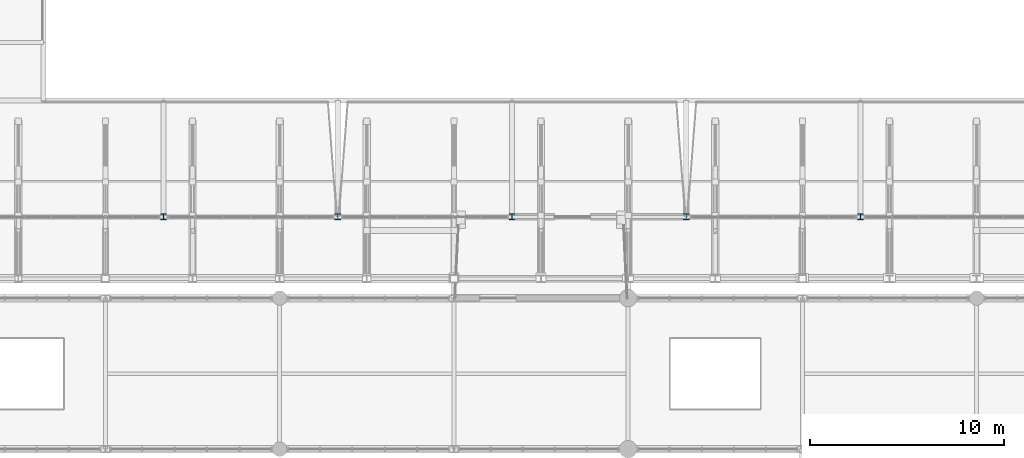
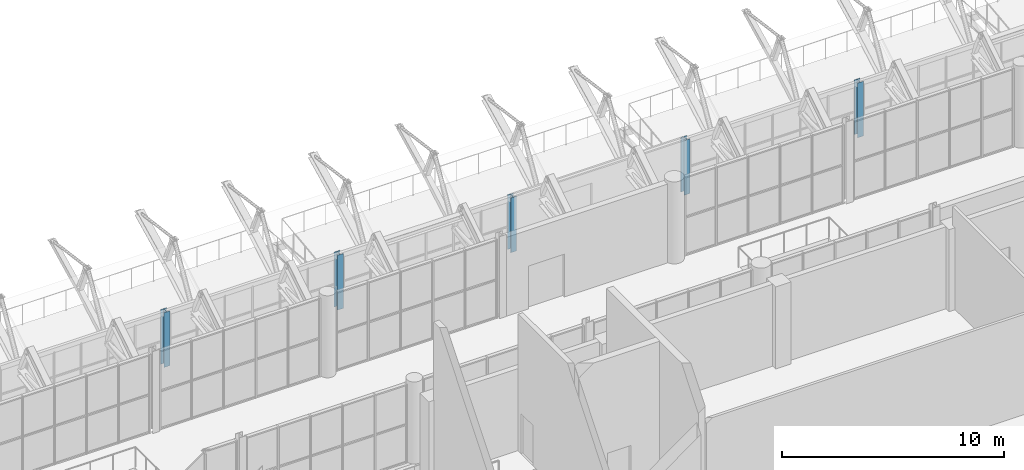
# One storey, part 12 of 134: 5 columns.
"""IFC4 building model written with IfcOpenShell, lengths in metres."""

from ifc_helpers import new_model, si_unit, direction, frame, origin, origin_2d, place, context, subcontext, project, spatial, i_section, extrude, material, material_profile, profile_set, type_object, element, save


model = new_model("IFC4")

# Units and contexts
model_context = context("Model", 3, precision=1e-05, world=origin(), true_north=direction((0.0, 1.0)))
body_context = subcontext(model_context, "Body", "Model", "MODEL_VIEW")
ifc_project = project(units=[si_unit("LENGTHUNIT", "METRE"), si_unit("AREAUNIT", "SQUARE_METRE"), si_unit("VOLUMEUNIT", "CUBIC_METRE"), si_unit("PLANEANGLEUNIT", "RADIAN"), si_unit("MASSUNIT", "GRAM", prefix="KILO")], contexts=[model_context])

# Site, building, storey
site_placement = place(None, origin())
site = spatial("IfcSite", under=ifc_project, at=site_placement, CompositionType="ELEMENT")
building_placement = place(site_placement, origin())
building = spatial("IfcBuilding", under=site, at=building_placement, Name="Cazmaro Siding Exhibition Halls", CompositionType="ELEMENT")
storey_placement = place(building_placement, frame((0.0, 0.0, 12.0)))
storey = spatial("IfcBuildingStorey", under=building, at=storey_placement, Name="L02", CompositionType="ELEMENT", Elevation=12.0)

# Columns
ifc_material = material(Name="Steel ASTM A992 Grade 50", Category="steel")
ifc_material_profile = material_profile(ifc_material, i_section(OverallWidth=0.304931640625, OverallDepth=0.306884765625, WebThickness=0.010009765625, FlangeThickness=0.014892578125, at=origin_2d()), Name="W12X65")
ifc_profile_set = profile_set([ifc_material_profile], Name="Steel ASTM A992 Grade 50")
column_type = type_object("IfcColumnType", Name="C-06", PredefinedType="COLUMN", material=ifc_profile_set)
for number, where, z_axis, x_axis, name in (
    (1, (66.0, 67.199951171875, 0.0), (0.0, 0.0, 1.0), (1.0, 0.0, 0.0), "Column C-06 COL-0277"),
    (2, (75.0, 67.199951171875, 0.0), (0.0, 0.0, 1.0), (1.0, 0.0, 0.0), "Column C-06 COL-0287"),
    (3, (84.0, 67.199951171875, 0.0), (0.0, 0.0, 1.0), (1.0, 0.0, 0.0), "Column C-06 COL-0297"),
    (4, (93.0, 67.199951171875, 0.0), (0.0, 0.0, 1.0), (1.0, 0.0, 0.0), "Column C-06 COL-0307"),
    (5, (102.0, 67.199951171875, 0.0), (0.0, 0.0, 1.0), (1.0, 0.0, 0.0), "Column C-06 COL-0317"),
):
    element("IfcColumn", number, at=place(storey_placement, frame(where, z_axis=z_axis, x_axis=x_axis)), inside=storey, type_object=column_type, Name=name, PredefinedType="COLUMN", context=body_context, shape_type="SweptSolid", body=[
        extrude(i_section(OverallWidth=0.304931640625, OverallDepth=0.306884765625, WebThickness=0.010009765625, FlangeThickness=0.014892578125, at=origin_2d()), origin(), (0.0, 0.0, 1.0), 3.0),
    ])

save(model, "model.ifc")
